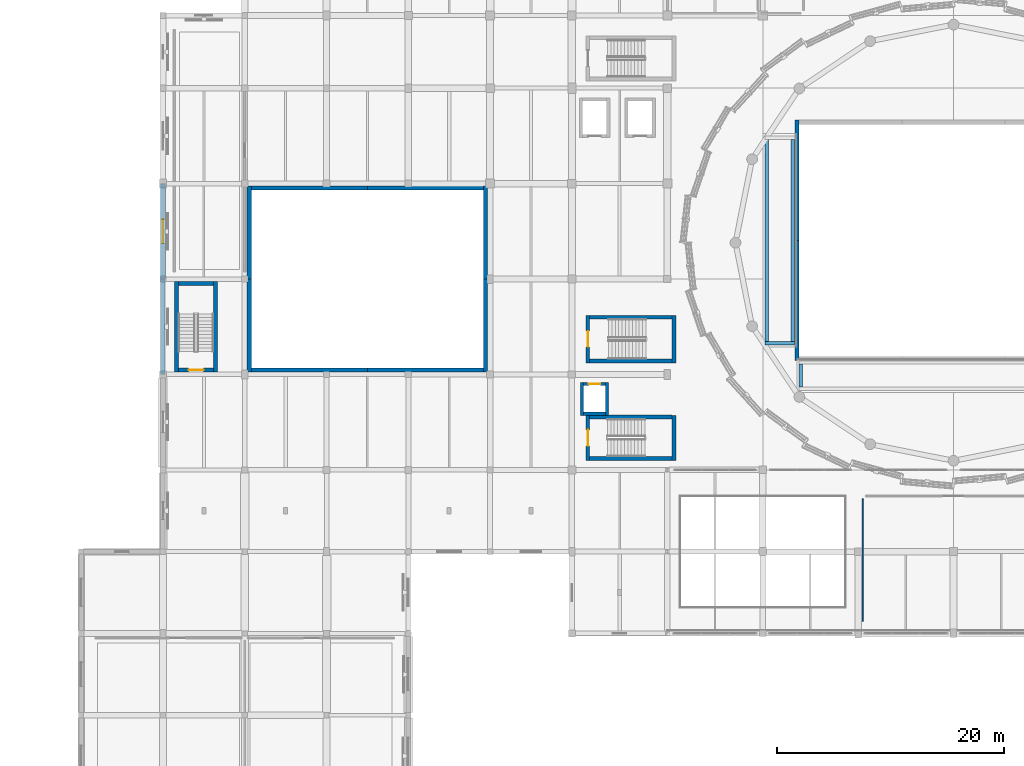
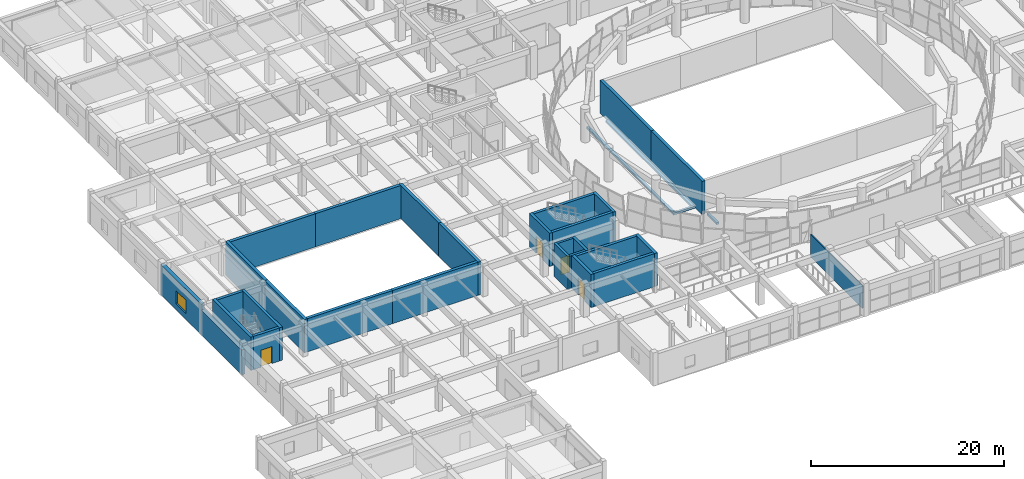
# One storey, part 47 of 71: 33 walls, 4 doors, 1 window, 5 openings.
"""IFC4 building model written with IfcOpenShell, lengths in metres."""

from ifc_helpers import new_model, si_unit, direction, frame, frame_2d, origin, place, context, subcontext, project, spatial, rectangle, extrude, material, layer, layer_set, type_object, element, fill, save


model = new_model("IFC4")

# Units and contexts
model_context = context("Model", 3, precision=1e-05, world=origin(), true_north=direction((0.0, 1.0)))
body_context = subcontext(model_context, "Body", "Model", "MODEL_VIEW")
ifc_project = project(units=[si_unit("LENGTHUNIT", "METRE"), si_unit("AREAUNIT", "SQUARE_METRE"), si_unit("VOLUMEUNIT", "CUBIC_METRE"), si_unit("PLANEANGLEUNIT", "RADIAN"), si_unit("MASSUNIT", "GRAM", prefix="KILO")], contexts=[model_context])

# Site, building, storey
site_placement = place(None, origin())
site = spatial("IfcSite", under=ifc_project, at=site_placement, CompositionType="ELEMENT")
building_placement = place(site_placement, origin())
building = spatial("IfcBuilding", under=site, at=building_placement, Name="Korsvaeld Concert Hall", CompositionType="ELEMENT")
storey_placement = place(building_placement, frame((0.0, 0.0, 4.800048828125)))
storey = spatial("IfcBuildingStorey", under=building, at=storey_placement, Name="L01", CompositionType="ELEMENT", Elevation=4.800048828125)

# Walls
ifc_material_1 = material(Name="Concrete C40/50", Category="concrete")
ifc_layer_1 = layer(ifc_material_1, 0.340087890625)
ifc_layer_set_1 = layer_set([ifc_layer_1], Name="Concrete C40/50")
wall_type_1 = type_object("IfcWallType", Name="WL-CORE-340", PredefinedType="SHEAR", material=ifc_layer_set_1)
wall_1_placement = place(storey_placement, frame((51.969970703125, 44.199951171875, 0.0), z_axis=(0.0, 0.0, 1.0), x_axis=(1.0, 0.0, 0.0)))
element("IfcWall", 1, at=wall_1_placement, inside=storey, type_object=wall_type_1, Name="Core K3 shear wall L01 S", PredefinedType="SHEAR", context=body_context, shape_type="SweptSolid", body=[
    extrude(rectangle(XDim=7.260009765625, YDim=0.340087890625, at=frame_2d((3.6298828125, 0.0))), origin(), (0.0, 0.0, 1.0), 4.199951171875),
])
wall_2_placement = place(storey_placement, frame((59.39990234375, 44.030029296875, 0.0), z_axis=(0.0, 0.0, 1.0), x_axis=(0.0, 1.0, 0.0)))
element("IfcWall", 2, at=wall_2_placement, inside=storey, type_object=wall_type_1, Name="Core K3 shear wall L01 E", PredefinedType="SHEAR", context=body_context, shape_type="SweptSolid", body=[
    extrude(rectangle(XDim=3.97998046875, YDim=0.340087890625, at=frame_2d((1.989990234375, 0.0))), origin(), (0.0, 0.0, 1.0), 4.199951171875),
])
wall_3_placement = place(storey_placement, frame((59.22998046875, 47.840087890625, 0.0), z_axis=(0.0, 0.0, 1.0), x_axis=(-1.0, 0.0, 0.0)))
element("IfcWall", 3, at=wall_3_placement, inside=storey, type_object=wall_type_1, Name="Core K3 shear wall L01 N", PredefinedType="SHEAR", context=body_context, shape_type="SweptSolid", body=[
    extrude(rectangle(XDim=7.260009765625, YDim=0.340087890625, at=frame_2d((3.6298828125, 0.0))), origin(), (0.0, 0.0, 1.0), 4.199951171875),
])

# Wall, opening, door
wall_4_placement = place(storey_placement, frame((51.800048828125, 48.010009765625, 0.0), z_axis=(0.0, 0.0, 1.0), x_axis=(0.0, -1.0, 0.0)))
wall_4 = element("IfcWall", 4, at=wall_4_placement, inside=storey, type_object=wall_type_1, Name="Core K3 shear wall L01 W", PredefinedType="SHEAR", context=body_context, shape_type="SweptSolid", body=[
    extrude(rectangle(XDim=3.97998046875, YDim=0.340087890625, at=frame_2d((1.989990234375, 0.0))), origin(), (0.0, 0.0, 1.0), 4.199951171875),
])
opening_1_placement = place(wall_4_placement, frame((1.2900390625, 0.0, 0.0)))
opening_1 = element("IfcOpeningElement", 5, at=opening_1_placement, cuts=wall_4, Name="Opening FD-02", PredefinedType="OPENING", context=body_context, shape_type="SweptSolid", body=[
    extrude(rectangle(XDim=1.39990234375, YDim=2.14990234375, at=frame_2d((0.699951171875, 1.074951171875))), frame((0.0, 0.18017578125, 0.0), z_axis=(0.0, -1.0, 0.0), x_axis=(1.0, 0.0, 0.0)), (0.0, 0.0, 1.0), 0.360107421875),
])
ifc_material_2 = material(Name="Acoustic steel and oak fire door", Category="steel")
door_type_1 = type_object("IfcDoorType", Name="DR-FD-STAIR-140x215", OperationType="NOTDEFINED", PredefinedType="DOOR", material=ifc_material_2)
door_1_placement = place(opening_1_placement, origin())
door_1 = element("IfcDoor", 6, at=door_1_placement, inside=storey, type_object=door_type_1, Name="Escape stair ST-K3 fire door L01", OperationType="SINGLE_SWING_LEFT", OverallHeight=2.14990234375, OverallWidth=1.39990234375, PredefinedType="DOOR", context=body_context, shape_type="SweptSolid", body=[
    extrude(rectangle(XDim=1.39990234375, YDim=2.14990234375, at=frame_2d((0.699951171875, 1.074951171875))), frame((0.0, 0.02490234375, 0.0), z_axis=(0.0, -1.0, 0.0), x_axis=(1.0, 0.0, 0.0)), (0.0, 0.0, 1.0), 0.050048828125),
])
fill(opening_1, door_1)

# Walls
wall_5_placement = place(storey_placement, frame((51.969970703125, 52.800048828125, 0.0), z_axis=(0.0, 0.0, 1.0), x_axis=(1.0, 0.0, 0.0)))
element("IfcWall", 7, at=wall_5_placement, inside=storey, type_object=wall_type_1, Name="Core F1 shear wall L01 S", PredefinedType="SHEAR", context=body_context, shape_type="SweptSolid", body=[
    extrude(rectangle(XDim=7.260009765625, YDim=0.340087890625, at=frame_2d((3.6298828125, 0.0))), origin(), (0.0, 0.0, 1.0), 4.199951171875),
])
wall_6_placement = place(storey_placement, frame((59.39990234375, 52.6298828125, 0.0), z_axis=(0.0, 0.0, 1.0), x_axis=(0.0, 1.0, 0.0)))
element("IfcWall", 8, at=wall_6_placement, inside=storey, type_object=wall_type_1, Name="Core F1 shear wall L01 E", PredefinedType="SHEAR", context=body_context, shape_type="SweptSolid", body=[
    extrude(rectangle(XDim=4.18017578125, YDim=0.340087890625, at=frame_2d((2.090087890625, 0.0))), origin(), (0.0, 0.0, 1.0), 4.199951171875),
])
wall_7_placement = place(storey_placement, frame((59.22998046875, 56.639892578125, 0.0), z_axis=(0.0, 0.0, 1.0), x_axis=(-1.0, 0.0, 0.0)))
element("IfcWall", 9, at=wall_7_placement, inside=storey, type_object=wall_type_1, Name="Core F1 shear wall L01 N", PredefinedType="SHEAR", context=body_context, shape_type="SweptSolid", body=[
    extrude(rectangle(XDim=7.260009765625, YDim=0.340087890625, at=frame_2d((3.6298828125, 0.0))), origin(), (0.0, 0.0, 1.0), 4.199951171875),
])

# Wall, opening, door
wall_8_placement = place(storey_placement, frame((51.800048828125, 56.81005859375, 0.0), z_axis=(0.0, 0.0, 1.0), x_axis=(0.0, -1.0, 0.0)))
wall_8 = element("IfcWall", 10, at=wall_8_placement, inside=storey, type_object=wall_type_1, Name="Core F1 shear wall L01 W", PredefinedType="SHEAR", context=body_context, shape_type="SweptSolid", body=[
    extrude(rectangle(XDim=4.18017578125, YDim=0.340087890625, at=frame_2d((2.090087890625, 0.0))), origin(), (0.0, 0.0, 1.0), 4.199951171875),
])
opening_2_placement = place(wall_8_placement, frame((1.389892578125, 0.0, 0.0)))
opening_2 = element("IfcOpeningElement", 11, at=opening_2_placement, cuts=wall_8, Name="Opening FD-02", PredefinedType="OPENING", context=body_context, shape_type="SweptSolid", body=[
    extrude(rectangle(XDim=1.39990234375, YDim=2.14990234375, at=frame_2d((0.699951171875, 1.074951171875))), frame((0.0, 0.18017578125, 0.0), z_axis=(0.0, -1.0, 0.0), x_axis=(1.0, 0.0, 0.0)), (0.0, 0.0, 1.0), 0.360107421875),
])
door_2_placement = place(opening_2_placement, origin())
door_2 = element("IfcDoor", 12, at=door_2_placement, inside=storey, type_object=door_type_1, Name="Escape stair ST-F1 fire door L01", OperationType="SINGLE_SWING_RIGHT", OverallHeight=2.14990234375, OverallWidth=1.39990234375, PredefinedType="DOOR", context=body_context, shape_type="SweptSolid", body=[
    extrude(rectangle(XDim=1.39990234375, YDim=2.14990234375, at=frame_2d((0.699951171875, 1.074951171875))), frame((0.0, 0.02490234375, 0.0), z_axis=(0.0, -1.0, 0.0), x_axis=(1.0, 0.0, 0.0)), (0.0, 0.0, 1.0), 0.050048828125),
])
fill(opening_2, door_2)

wall_9_placement = place(storey_placement, frame((15.77001953125, 52.0, 0.0), z_axis=(0.0, 0.0, 1.0), x_axis=(1.0, 0.0, 0.0)))
wall_9 = element("IfcWall", 13, at=wall_9_placement, inside=storey, type_object=wall_type_1, Name="Core V3S shear wall L01 S", PredefinedType="SHEAR", context=body_context, shape_type="SweptSolid", body=[
    extrude(rectangle(XDim=3.10009765625, YDim=0.340087890625, at=frame_2d((1.550048828125, 0.0))), origin(), (0.0, 0.0, 1.0), 4.199951171875),
])
opening_3_placement = place(wall_9_placement, frame((0.89990234375, 0.0, 0.0)))
opening_3 = element("IfcOpeningElement", 14, at=opening_3_placement, cuts=wall_9, Name="Opening FD-01", PredefinedType="OPENING", context=body_context, shape_type="SweptSolid", body=[
    extrude(rectangle(XDim=1.300048828125, YDim=2.14990234375, at=frame_2d((0.64990234375, 1.074951171875))), frame((0.0, 0.18017578125, 0.0), z_axis=(0.0, -1.0, 0.0), x_axis=(1.0, 0.0, 0.0)), (0.0, 0.0, 1.0), 0.360107421875),
])
door_type_2 = type_object("IfcDoorType", Name="DR-FD-STAIR-130x215", OperationType="NOTDEFINED", PredefinedType="DOOR", material=ifc_material_2)
door_3_placement = place(opening_3_placement, origin())
door_3 = element("IfcDoor", 15, at=door_3_placement, inside=storey, type_object=door_type_2, Name="Escape stair ST-F3 fire door L01", OperationType="SINGLE_SWING_RIGHT", OverallHeight=2.14990234375, OverallWidth=1.300048828125, PredefinedType="DOOR", context=body_context, shape_type="SweptSolid", body=[
    extrude(rectangle(XDim=1.300048828125, YDim=2.14990234375, at=frame_2d((0.64990234375, 1.074951171875))), frame((0.0, 0.02490234375, 0.0), z_axis=(0.0, -1.0, 0.0), x_axis=(1.0, 0.0, 0.0)), (0.0, 0.0, 1.0), 0.050048828125),
])
fill(opening_3, door_3)

# Walls
wall_10_placement = place(storey_placement, frame((19.0400390625, 51.830078125, 0.0), z_axis=(0.0, 0.0, 1.0), x_axis=(0.0, 1.0, 0.0)))
element("IfcWall", 16, at=wall_10_placement, inside=storey, type_object=wall_type_1, Name="Core V3S shear wall L01 E", PredefinedType="SHEAR", context=body_context, shape_type="SweptSolid", body=[
    extrude(rectangle(XDim=7.93994140625, YDim=0.340087890625, at=frame_2d((3.969970703125, 0.0))), origin(), (0.0, 0.0, 1.0), 4.199951171875),
])
wall_11_placement = place(storey_placement, frame((18.8701171875, 59.60009765625, 0.0), z_axis=(0.0, 0.0, 1.0), x_axis=(-1.0, 0.0, 0.0)))
element("IfcWall", 17, at=wall_11_placement, inside=storey, type_object=wall_type_1, Name="Core V3S shear wall L01 N", PredefinedType="SHEAR", context=body_context, shape_type="SweptSolid", body=[
    extrude(rectangle(XDim=3.10009765625, YDim=0.340087890625, at=frame_2d((1.550048828125, 0.0))), origin(), (0.0, 0.0, 1.0), 4.199951171875),
])
wall_12_placement = place(storey_placement, frame((15.60009765625, 59.77001953125, 0.0), z_axis=(0.0, 0.0, 1.0), x_axis=(0.0, -1.0, 0.0)))
element("IfcWall", 18, at=wall_12_placement, inside=storey, type_object=wall_type_1, Name="Core V3S shear wall L01 W", PredefinedType="SHEAR", context=body_context, shape_type="SweptSolid", body=[
    extrude(rectangle(XDim=7.93994140625, YDim=0.340087890625, at=frame_2d((3.969970703125, 0.0))), origin(), (0.0, 0.0, 1.0), 4.199951171875),
])
ifc_material_3 = material(Name="Obernkirchener buff sandstone rainscreen on Concrete C35/45", Category="masonry")
ifc_layer_2 = layer(ifc_material_3, 0.389892578125)
ifc_layer_set_2 = layer_set([ifc_layer_2], Name="Obernkirchener buff sandstone rainscreen on Concrete C35/45")
wall_type_2 = type_object("IfcWallType", Name="WL-EXT-BUFF-390", PredefinedType="STANDARD", material=ifc_layer_set_2)
wall_13_placement = place(storey_placement, frame((14.39990234375, 51.60009765625, 0.0), z_axis=(0.0, 0.0, 1.0), x_axis=(0.0, 1.0, 0.0)))
element("IfcWall", 19, at=wall_13_placement, inside=storey, type_object=wall_type_2, Name="Exterior sandstone wall L01-141", PredefinedType="STANDARD", context=body_context, shape_type="SweptSolid", body=[
    extrude(rectangle(XDim=8.39990234375, YDim=0.389892578125, at=frame_2d((4.199951171875, 0.0))), origin(), (0.0, 0.0, 1.0), 3.139892578125),
])

# Wall, opening, window
ifc_material_4 = material(Name="Bornholm Nexo rose-red sandstone rainscreen on Concrete C35/45", Category="masonry")
ifc_layer_3 = layer(ifc_material_4, 0.419921875)
ifc_layer_set_3 = layer_set([ifc_layer_3], Name="Bornholm Nexo rose-red sandstone rainscreen on Concrete C35/45")
wall_type_3 = type_object("IfcWallType", Name="WL-EXT-NEXO-420", PredefinedType="STANDARD", material=ifc_layer_set_3)
wall_14_placement = place(storey_placement, frame((14.39990234375, 60.0, 0.0), z_axis=(0.0, 0.0, 1.0), x_axis=(0.0, 1.0, 0.0)))
wall_14 = element("IfcWall", 20, at=wall_14_placement, inside=storey, type_object=wall_type_3, Name="Exterior sandstone wall L01-142", PredefinedType="STANDARD", context=body_context, shape_type="SweptSolid", body=[
    extrude(rectangle(XDim=8.39990234375, YDim=0.419921875, at=frame_2d((4.199951171875, 0.0))), origin(), (0.0, 0.0, 1.0), 3.83984375),
])
opening_4_placement = place(wall_14_placement, frame((3.14990234375, 0.0, 0.800048828125)))
opening_4 = element("IfcOpeningElement", 21, at=opening_4_placement, cuts=wall_14, Name="Opening WN-04", PredefinedType="OPENING", context=body_context, shape_type="SweptSolid", body=[
    extrude(rectangle(XDim=2.10009765625, YDim=1.64990234375, at=frame_2d((1.050048828125, 0.824951171875))), frame((0.0, 0.219970703125, 0.0), z_axis=(0.0, -1.0, 0.0), x_axis=(1.0, 0.0, 0.0)), (0.0, 0.0, 1.0), 0.43994140625),
])
ifc_material_5 = material(Name="Anodised bronze frame with acoustic triple glazing", Category="glass")
window_type = type_object("IfcWindowType", Name="WIN-AC-210x165", PartitioningType="SINGLE_PANEL", PredefinedType="WINDOW", material=ifc_material_5)
window_placement = place(opening_4_placement, origin())
window = element("IfcWindow", 22, at=window_placement, inside=storey, type_object=window_type, Name="Acoustic triple-glazed window L01-052", OverallHeight=1.64990234375, OverallWidth=2.10009765625, PartitioningType="SINGLE_PANEL", PredefinedType="WINDOW", context=body_context, shape_type="SweptSolid", body=[
    extrude(rectangle(XDim=2.10009765625, YDim=1.64990234375, at=frame_2d((1.050048828125, 0.824951171875))), frame((0.0, 0.030029296875, 0.0), z_axis=(0.0, -1.0, 0.0), x_axis=(1.0, 0.0, 0.0)), (0.0, 0.0, 1.0), 0.06005859375),
])
fill(opening_4, window)

# Walls
ifc_material_6 = material(Name="Bornholm Nexo crimson sandstone on Concrete C40/50", Category="masonry")
ifc_layer_4 = layer(ifc_material_6, 0.360107421875)
ifc_layer_set_4 = layer_set([ifc_layer_4], Name="Bornholm Nexo crimson sandstone on Concrete C40/50")
wall_type_4 = type_object("IfcWallType", Name="WL-HALL-360", PredefinedType="SHEAR", material=ifc_layer_set_4)
wall_15_placement = place(storey_placement, frame((70.199951171875, 73.97998046875, 0.0), z_axis=(0.0, 0.0, 1.0), x_axis=(0.0, -1.0, 0.0)))
element("IfcWall", 23, at=wall_15_placement, inside=storey, type_object=wall_type_4, Name="Acoustic hall box wall V1H L01 W.1", PredefinedType="SHEAR", context=body_context, shape_type="SweptSolid", body=[
    extrude(rectangle(XDim=10.580078125, YDim=0.360107421875, at=frame_2d((5.2900390625, 0.0))), origin(), (0.0, 0.0, 1.0), 4.199951171875),
])
wall_16_placement = place(storey_placement, frame((70.199951171875, 63.39990234375, 0.0), z_axis=(0.0, 0.0, 1.0), x_axis=(0.0, -1.0, 0.0)))
element("IfcWall", 24, at=wall_16_placement, inside=storey, type_object=wall_type_4, Name="Acoustic hall box wall V1H L01 W.2", PredefinedType="SHEAR", context=body_context, shape_type="SweptSolid", body=[
    extrude(rectangle(XDim=10.579833984375, YDim=0.360107421875, at=frame_2d((5.2900390625, 0.0))), origin(), (0.0, 0.0, 1.0), 4.199951171875),
])
wall_17_placement = place(storey_placement, frame((22.179931640625, 52.0, 0.0), z_axis=(0.0, 0.0, 1.0), x_axis=(1.0, 0.0, 0.0)))
element("IfcWall", 25, at=wall_17_placement, inside=storey, type_object=wall_type_4, Name="Acoustic hall box wall V3H L01 S.1", PredefinedType="SHEAR", context=body_context, shape_type="SweptSolid", body=[
    extrude(rectangle(XDim=10.219970703125, YDim=0.360107421875, at=frame_2d((5.10986328125, 0.0))), origin(), (0.0, 0.0, 1.0), 4.199951171875),
])
wall_18_placement = place(storey_placement, frame((32.39990234375, 52.0, 0.0), z_axis=(0.0, 0.0, 1.0), x_axis=(1.0, 0.0, 0.0)))
element("IfcWall", 26, at=wall_18_placement, inside=storey, type_object=wall_type_4, Name="Acoustic hall box wall V3H L01 S.2", PredefinedType="SHEAR", context=body_context, shape_type="SweptSolid", body=[
    extrude(rectangle(XDim=10.22021484375, YDim=0.360107421875, at=frame_2d((5.110107421875, 0.0))), origin(), (0.0, 0.0, 1.0), 4.199951171875),
])
for number, where, z_axis, x_axis, name in (
    (27, (42.800048828125, 51.820068359375, 0.0), (0.0, 0.0, 1.0), (0.0, 1.0, 0.0), "Acoustic hall box wall V3H L01 E.1"),
    (28, (42.800048828125, 60.0, 0.0), (0.0, 0.0, 1.0), (0.0, 1.0, 0.0), "Acoustic hall box wall V3H L01 E.2"),
):
    element("IfcWall", number, at=place(storey_placement, frame(where, z_axis=z_axis, x_axis=x_axis)), inside=storey, type_object=wall_type_4, Name=name, PredefinedType="SHEAR", context=body_context, shape_type="SweptSolid", body=[
        extrude(rectangle(XDim=8.179931640625, YDim=0.360107421875, at=frame_2d((4.08984375, 0.0))), origin(), (0.0, 0.0, 1.0), 4.199951171875),
    ])
wall_19_placement = place(storey_placement, frame((42.6201171875, 68.0, 0.0), z_axis=(0.0, 0.0, 1.0), x_axis=(-1.0, 0.0, 0.0)))
element("IfcWall", 29, at=wall_19_placement, inside=storey, type_object=wall_type_4, Name="Acoustic hall box wall V3H L01 N.1", PredefinedType="SHEAR", context=body_context, shape_type="SweptSolid", body=[
    extrude(rectangle(XDim=10.22021484375, YDim=0.360107421875, at=frame_2d((5.110107421875, 0.0))), origin(), (0.0, 0.0, 1.0), 4.199951171875),
])
wall_20_placement = place(storey_placement, frame((32.39990234375, 68.0, 0.0), z_axis=(0.0, 0.0, 1.0), x_axis=(-1.0, 0.0, 0.0)))
element("IfcWall", 30, at=wall_20_placement, inside=storey, type_object=wall_type_4, Name="Acoustic hall box wall V3H L01 N.2", PredefinedType="SHEAR", context=body_context, shape_type="SweptSolid", body=[
    extrude(rectangle(XDim=10.219970703125, YDim=0.360107421875, at=frame_2d((5.10986328125, 0.0))), origin(), (0.0, 0.0, 1.0), 4.199951171875),
])
for number, where, z_axis, x_axis, name in (
    (31, (22.0, 68.179931640625, 0.0), (0.0, 0.0, 1.0), (0.0, -1.0, 0.0), "Acoustic hall box wall V3H L01 W.1"),
    (32, (22.0, 60.0, 0.0), (0.0, 0.0, 1.0), (0.0, -1.0, 0.0), "Acoustic hall box wall V3H L01 W.2"),
):
    element("IfcWall", number, at=place(storey_placement, frame(where, z_axis=z_axis, x_axis=x_axis)), inside=storey, type_object=wall_type_4, Name=name, PredefinedType="SHEAR", context=body_context, shape_type="SweptSolid", body=[
        extrude(rectangle(XDim=8.179931640625, YDim=0.360107421875, at=frame_2d((4.08984375, 0.0))), origin(), (0.0, 0.0, 1.0), 4.199951171875),
    ])
ifc_material_7 = material(Name="Insulated acoustic gypsum partition")
ifc_layer_5 = layer(ifc_material_7, 0.125)
ifc_layer_set_5 = layer_set([ifc_layer_5], Name="Insulated acoustic gypsum partition")
wall_type_5 = type_object("IfcWallType", Name="WL-PART-125", PredefinedType="PARTITIONING", material=ifc_layer_set_5)
wall_21_placement = place(storey_placement, frame((76.0, 40.639892578125, 0.0), z_axis=(0.0, 0.0, 1.0), x_axis=(0.0, -1.0, 0.0)))
element("IfcWall", 33, at=wall_21_placement, inside=storey, type_object=wall_type_5, Name="Interior partition L01-04 W", PredefinedType="PARTITIONING", context=body_context, shape_type="SweptSolid", body=[
    extrude(rectangle(XDim=10.77978515625, YDim=0.125, at=frame_2d((5.389892578125, 0.0))), origin(), (0.0, 0.0, 1.0), 2.864990234375),
])
ifc_layer_6 = layer(ifc_material_1, 0.280029296875)
ifc_layer_set_6 = layer_set([ifc_layer_6], Name="Concrete C40/50")
wall_type_6 = type_object("IfcWallType", Name="WL-SHAFT-280", PredefinedType="SHEAR", material=ifc_layer_set_6)
wall_22_placement = place(storey_placement, frame((51.43994140625, 48.14990234375, 0.0), z_axis=(0.0, 0.0, 1.0), x_axis=(1.0, 0.0, 0.0)))
element("IfcWall", 34, at=wall_22_placement, inside=storey, type_object=wall_type_6, Name="Lift LP-05 shaft wall L01 S", PredefinedType="SHEAR", context=body_context, shape_type="SweptSolid", body=[
    extrude(rectangle(XDim=1.920166015625, YDim=0.280029296875, at=frame_2d((0.9599609375, 0.0))), origin(), (0.0, 0.0, 1.0), 4.199951171875),
])
wall_23_placement = place(storey_placement, frame((53.5, 48.010009765625, 0.0), z_axis=(0.0, 0.0, 1.0), x_axis=(0.0, 1.0, 0.0)))
element("IfcWall", 35, at=wall_23_placement, inside=storey, type_object=wall_type_6, Name="Lift LP-05 shaft wall L01 E", PredefinedType="SHEAR", context=body_context, shape_type="SweptSolid", body=[
    extrude(rectangle(XDim=2.8798828125, YDim=0.280029296875, at=frame_2d((1.43994140625, 0.0))), origin(), (0.0, 0.0, 1.0), 4.199951171875),
])

# Wall, opening, door
wall_24_placement = place(storey_placement, frame((53.360107421875, 50.75, 0.0), z_axis=(0.0, 0.0, 1.0), x_axis=(-1.0, 0.0, 0.0)))
wall_24 = element("IfcWall", 36, at=wall_24_placement, inside=storey, type_object=wall_type_6, Name="Lift LP-05 shaft wall L01 N", PredefinedType="SHEAR", context=body_context, shape_type="SweptSolid", body=[
    extrude(rectangle(XDim=1.920166015625, YDim=0.280029296875, at=frame_2d((0.9599609375, 0.0))), origin(), (0.0, 0.0, 1.0), 4.199951171875),
])
opening_5_placement = place(wall_24_placement, frame((0.4599609375, 0.0, 0.0)))
opening_5 = element("IfcOpeningElement", 37, at=opening_5_placement, cuts=wall_24, Name="Opening LD-02", PredefinedType="OPENING", context=body_context, shape_type="SweptSolid", body=[
    extrude(rectangle(XDim=1.0, YDim=2.14990234375, at=frame_2d((0.5, 1.074951171875))), frame((0.0, 0.14990234375, 0.0), z_axis=(0.0, -1.0, 0.0), x_axis=(1.0, 0.0, 0.0)), (0.0, 0.0, 1.0), 0.300048828125),
])
ifc_material_8 = material(Name="Brushed bronze-stainless sliding lift landing door")
door_type_3 = type_object("IfcDoorType", Name="DR-LD-PASS-100x215", OperationType="NOTDEFINED", PredefinedType="DOOR", material=ifc_material_8)
door_4_placement = place(opening_5_placement, origin())
door_4 = element("IfcDoor", 38, at=door_4_placement, inside=storey, type_object=door_type_3, Name="Lift landing door LP-05 L01", OperationType="SLIDING_TO_LEFT", OverallHeight=2.14990234375, OverallWidth=1.0, PredefinedType="DOOR", context=body_context, shape_type="SweptSolid", body=[
    extrude(rectangle(XDim=1.0, YDim=2.14990234375, at=frame_2d((0.5, 1.074951171875))), frame((0.0, 0.02490234375, 0.0), z_axis=(0.0, -1.0, 0.0), x_axis=(1.0, 0.0, 0.0)), (0.0, 0.0, 1.0), 0.050048828125),
])
fill(opening_5, door_4)

# Walls
wall_25_placement = place(storey_placement, frame((51.300048828125, 50.889892578125, 0.0), z_axis=(0.0, 0.0, 1.0), x_axis=(0.0, -1.0, 0.0)))
element("IfcWall", 39, at=wall_25_placement, inside=storey, type_object=wall_type_6, Name="Lift LP-05 shaft wall L01 W", PredefinedType="SHEAR", context=body_context, shape_type="SweptSolid", body=[
    extrude(rectangle(XDim=2.8798828125, YDim=0.280029296875, at=frame_2d((1.43994140625, 0.0))), origin(), (0.0, 0.0, 1.0), 4.199951171875),
])
ifc_layer_7 = layer(ifc_material_1, 0.300048828125)
ifc_layer_set_7 = layer_set([ifc_layer_7], Name="Concrete C40/50")
wall_type_7 = type_object("IfcWallType", Name="WL-TIER-300", PredefinedType="SHEAR", material=ifc_layer_set_7)
wall_26_placement = place(storey_placement, frame((67.39990234375, 54.35009765625, 0.0), z_axis=(0.0, 0.0, 1.0), x_axis=(1.0, 0.0, 0.0)))
element("IfcWall", 40, at=wall_26_placement, inside=storey, type_object=wall_type_7, Name="Seating tier front riser wall V1-CIRC1-W", PredefinedType="SHEAR", context=body_context, shape_type="SweptSolid", body=[
    extrude(rectangle(XDim=2.60009765625, YDim=0.300048828125, at=frame_2d((1.300048828125, 0.0))), origin(), (0.0, 0.0, 1.0), 0.25),
])
for number, where, z_axis, x_axis, name in (
    (41, (67.550048828125, 54.5, 0.0), (0.0, 0.0, 1.0), (0.0, 1.0, 0.0), "Seating tier west flank wall V1-CIRC1-W"),
    (42, (69.85009765625, 54.5, 0.0), (0.0, 0.0, 1.0), (0.0, 1.0, 0.0), "Seating tier east flank wall V1-CIRC1-W"),
):
    element("IfcWall", number, at=place(storey_placement, frame(where, z_axis=z_axis, x_axis=x_axis)), inside=storey, type_object=wall_type_7, Name=name, PredefinedType="SHEAR", context=body_context, shape_type="SweptSolid", body=[
        extrude(rectangle(XDim=17.800048828125, YDim=0.300048828125, at=frame_2d((8.89990234375, 0.0))), origin(), (0.0, 0.0, 1.0), 0.25),
    ])
wall_27_placement = place(storey_placement, frame((70.550048828125, 50.5, 0.0), z_axis=(0.0, 0.0, 1.0), x_axis=(0.0, 1.0, 0.0)))
element("IfcWall", 43, at=wall_27_placement, inside=storey, type_object=wall_type_7, Name="Seating tier west flank wall V1-CIRC1-S", PredefinedType="SHEAR", context=body_context, shape_type="SweptSolid", body=[
    extrude(rectangle(XDim=2.0, YDim=0.300048828125, at=frame_2d((1.0, 0.0))), origin(), (0.0, 0.0, 1.0), 0.25),
])

save(model, "model.ifc")
